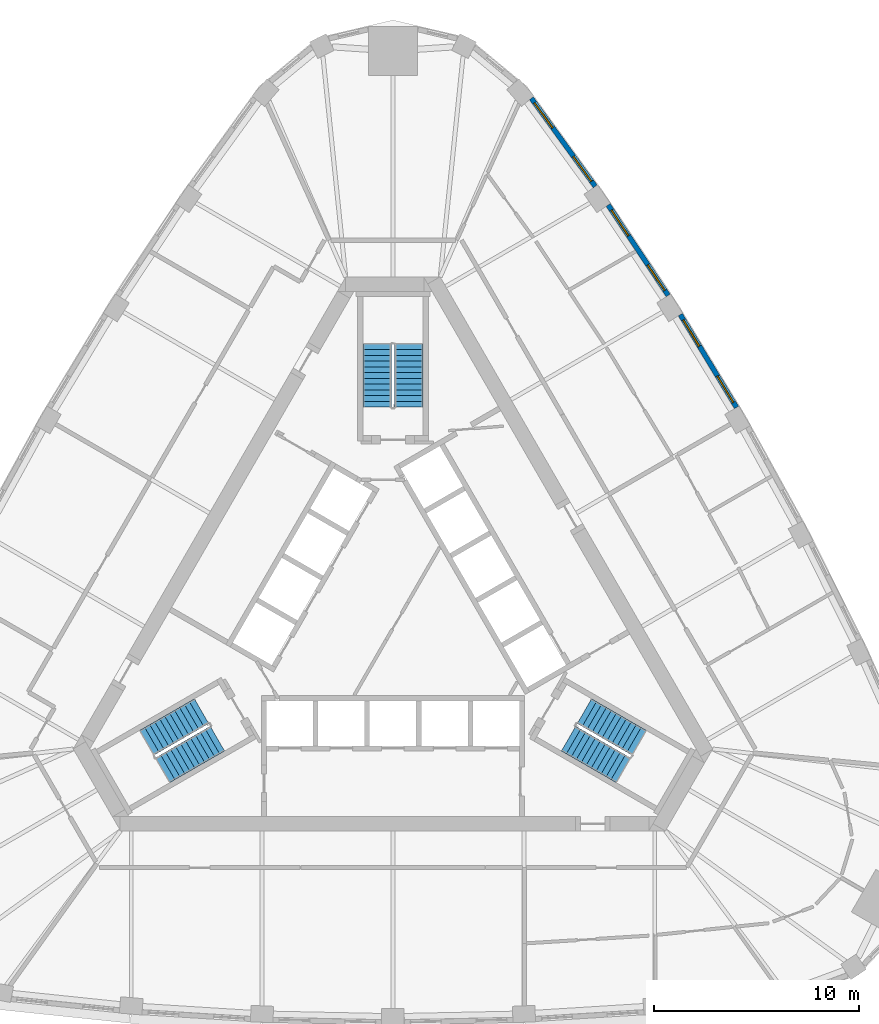
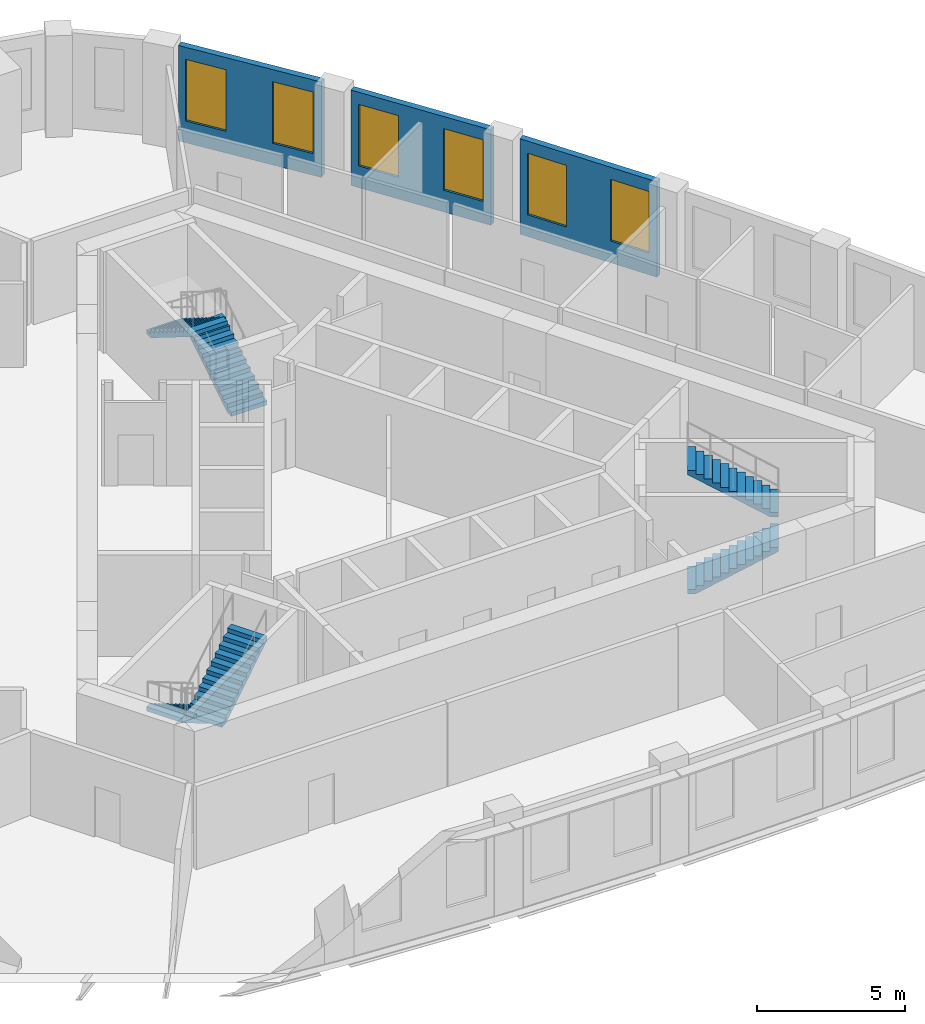
# One storey, part 9 of 10: 6 stair flights, 6 windows, 3 walls, 6 openings, 3 elements without a shape of their own.
"""IFC4 building model written with IfcOpenShell, lengths in metres."""

from ifc_helpers import new_model, si_unit, direction, frame, frame_2d, origin, place, context, subcontext, project, spatial, polyline, rectangle, outline, extrude, material, layer, layer_set, type_object, element, fill, aggregate, save


model = new_model("IFC4")

# Units and contexts
model_context = context("Model", 3, precision=1e-05, world=origin(), true_north=direction((0.0, 1.0)))
body_context = subcontext(model_context, "Body", "Model", "MODEL_VIEW")
ifc_project = project(units=[si_unit("LENGTHUNIT", "METRE"), si_unit("AREAUNIT", "SQUARE_METRE"), si_unit("VOLUMEUNIT", "CUBIC_METRE"), si_unit("PLANEANGLEUNIT", "RADIAN"), si_unit("MASSUNIT", "GRAM", prefix="KILO")], contexts=[model_context])

# Site, building, storey
site_placement = place(None, origin())
site = spatial("IfcSite", under=ifc_project, at=site_placement, CompositionType="ELEMENT")
building_placement = place(site_placement, origin())
building = spatial("IfcBuilding", under=site, at=building_placement, Name="Mestral Congress Tower", CompositionType="ELEMENT")
storey_placement = place(building_placement, frame((0.0, 0.0, 235.199951171875)))
storey = spatial("IfcBuildingStorey", under=building, at=storey_placement, Name="L55", CompositionType="ELEMENT", Elevation=235.199951171875)

# Wall, openings, windows
ifc_material_1 = material(Name="Precast concrete C40/50 with limestone facing", Category="masonry")
ifc_layer = layer(ifc_material_1, 0.239990234375)
ifc_layer_set = layer_set([ifc_layer], Name="Precast concrete C40/50 with limestone facing")
wall_type = type_object("IfcWallType", Name="Facade stone wall 240", PredefinedType="SOLIDWALL", material=ifc_layer_set)
wall_1_placement = place(storey_placement, frame((16.78173828125, 10.331298828125, 0.0), z_axis=(0.0, 0.0, 1.0), x_axis=(-0.517846166225, 0.855473756538, 0.0)))
wall_1 = element("IfcWall", 1, at=wall_1_placement, inside=storey, type_object=wall_type, Name="Facade wall F1-03", PredefinedType="SOLIDWALL", context=body_context, shape_type="SweptSolid", body=[
    extrude(rectangle(XDim=5.298095703125, YDim=0.239990234375, at=frame_2d((2.64892578125, 0.0))), origin(), (0.0, 0.0, 1.0), 3.949951171875),
])
opening_1_placement = place(wall_1_placement, frame((0.29443359375, 0.0, 0.89990234375)))
opening_1 = element("IfcOpeningElement", 2, at=opening_1_placement, cuts=wall_1, Name="Opening W4", PredefinedType="OPENING", context=body_context, shape_type="SweptSolid", body=[
    extrude(rectangle(XDim=1.5, YDim=2.550048828125, at=frame_2d((0.75, 1.27490234375))), frame((0.0, 0.1298828125, 0.0), z_axis=(0.0, -1.0, 0.0), x_axis=(1.0, 0.0, 0.0)), (0.0, 0.0, 1.0), 0.260009765625),
])
opening_2_placement = place(wall_1_placement, frame((3.503662109375, 0.0, 0.89990234375)))
opening_2 = element("IfcOpeningElement", 3, at=opening_2_placement, cuts=wall_1, Name="Opening W4", PredefinedType="OPENING", context=body_context, shape_type="SweptSolid", body=[
    extrude(rectangle(XDim=1.5, YDim=2.550048828125, at=frame_2d((0.75, 1.27490234375))), frame((0.0, 0.1298828125, 0.0), z_axis=(0.0, -1.0, 0.0), x_axis=(1.0, 0.0, 0.0)), (0.0, 0.0, 1.0), 0.260009765625),
])
ifc_material_2 = material(Name="Clear low-emissivity double glazing", Category="glass")
window_type = type_object("IfcWindowType", Name="Facade punched window 1500 x 2550 sill 900", PartitioningType="SINGLE_PANEL", PredefinedType="WINDOW", material=ifc_material_2)
window_1_placement = place(opening_1_placement, origin())
window_1 = element("IfcWindow", 4, at=window_1_placement, inside=storey, type_object=window_type, Name="Window F1-03a", OverallHeight=2.550048828125, OverallWidth=1.5, PartitioningType="SINGLE_PANEL", PredefinedType="WINDOW", context=body_context, shape_type="SweptSolid", body=[
    extrude(rectangle(XDim=1.5, YDim=2.550048828125, at=frame_2d((0.75, 1.27490234375))), frame((0.0, 0.0400390625, 0.0), z_axis=(0.0, -1.0, 0.0), x_axis=(1.0, 0.0, 0.0)), (0.0, 0.0, 1.0), 0.06005859375),
])
fill(opening_1, window_1)
window_2_placement = place(opening_2_placement, origin())
window_2 = element("IfcWindow", 5, at=window_2_placement, inside=storey, type_object=window_type, Name="Window F1-03b", OverallHeight=2.550048828125, OverallWidth=1.5, PartitioningType="SINGLE_PANEL", PredefinedType="WINDOW", context=body_context, shape_type="SweptSolid", body=[
    extrude(rectangle(XDim=1.5, YDim=2.550048828125, at=frame_2d((0.75, 1.27490234375))), frame((0.0, 0.0400390625, 0.0), z_axis=(0.0, -1.0, 0.0), x_axis=(1.0, 0.0, 0.0)), (0.0, 0.0, 1.0), 0.06005859375),
])
fill(opening_2, window_2)

wall_2_placement = place(storey_placement, frame((13.442138671875, 15.803466796875, 0.0), z_axis=(0.0, 0.0, 1.0), x_axis=(-0.552901821755, 0.833246407433, 0.0)))
wall_2 = element("IfcWall", 6, at=wall_2_placement, inside=storey, type_object=wall_type, Name="Facade wall F1-04", PredefinedType="SOLIDWALL", context=body_context, shape_type="SweptSolid", body=[
    extrude(rectangle(XDim=5.29833984375, YDim=0.239990234375, at=frame_2d((2.649169921875, 0.0))), origin(), (0.0, 0.0, 1.0), 3.949951171875),
])
opening_3_placement = place(wall_2_placement, frame((0.294677734375, 0.0, 0.89990234375)))
opening_3 = element("IfcOpeningElement", 7, at=opening_3_placement, cuts=wall_2, Name="Opening W4", PredefinedType="OPENING", context=body_context, shape_type="SweptSolid", body=[
    extrude(rectangle(XDim=1.5, YDim=2.550048828125, at=frame_2d((0.75, 1.27490234375))), frame((0.0, 0.1298828125, 0.0), z_axis=(0.0, -1.0, 0.0), x_axis=(1.0, 0.0, 0.0)), (0.0, 0.0, 1.0), 0.260009765625),
])
opening_4_placement = place(wall_2_placement, frame((3.50390625, 0.0, 0.89990234375)))
opening_4 = element("IfcOpeningElement", 8, at=opening_4_placement, cuts=wall_2, Name="Opening W4", PredefinedType="OPENING", context=body_context, shape_type="SweptSolid", body=[
    extrude(rectangle(XDim=1.5, YDim=2.550048828125, at=frame_2d((0.75, 1.27490234375))), frame((0.0, 0.1298828125, 0.0), z_axis=(0.0, -1.0, 0.0), x_axis=(1.0, 0.0, 0.0)), (0.0, 0.0, 1.0), 0.260009765625),
])
window_3_placement = place(opening_3_placement, origin())
window_3 = element("IfcWindow", 9, at=window_3_placement, inside=storey, type_object=window_type, Name="Window F1-04a", OverallHeight=2.550048828125, OverallWidth=1.5, PartitioningType="SINGLE_PANEL", PredefinedType="WINDOW", context=body_context, shape_type="SweptSolid", body=[
    extrude(rectangle(XDim=1.5, YDim=2.550048828125, at=frame_2d((0.75, 1.27490234375))), frame((0.0, 0.0400390625, 0.0), z_axis=(0.0, -1.0, 0.0), x_axis=(1.0, 0.0, 0.0)), (0.0, 0.0, 1.0), 0.06005859375),
])
fill(opening_3, window_3)
window_4_placement = place(opening_4_placement, origin())
window_4 = element("IfcWindow", 10, at=window_4_placement, inside=storey, type_object=window_type, Name="Window F1-04b", OverallHeight=2.550048828125, OverallWidth=1.5, PartitioningType="SINGLE_PANEL", PredefinedType="WINDOW", context=body_context, shape_type="SweptSolid", body=[
    extrude(rectangle(XDim=1.5, YDim=2.550048828125, at=frame_2d((0.75, 1.27490234375))), frame((0.0, 0.0400390625, 0.0), z_axis=(0.0, -1.0, 0.0), x_axis=(1.0, 0.0, 0.0)), (0.0, 0.0, 1.0), 0.06005859375),
])
fill(opening_4, window_4)

wall_3_placement = place(storey_placement, frame((9.87841796875, 21.13232421875, 0.0), z_axis=(0.0, 0.0, 1.0), x_axis=(-0.586998456641, 0.80958805074, 0.0)))
wall_3 = element("IfcWall", 11, at=wall_3_placement, inside=storey, type_object=wall_type, Name="Facade wall F1-05", PredefinedType="SOLIDWALL", context=body_context, shape_type="SweptSolid", body=[
    extrude(rectangle(XDim=5.310791015625, YDim=0.239990234375, at=frame_2d((2.6552734375, 0.0))), origin(), (0.0, 0.0, 1.0), 3.949951171875),
])
opening_5_placement = place(wall_3_placement, frame((0.306396484375, 0.0, 0.89990234375)))
opening_5 = element("IfcOpeningElement", 12, at=opening_5_placement, cuts=wall_3, Name="Opening W4", PredefinedType="OPENING", context=body_context, shape_type="SweptSolid", body=[
    extrude(rectangle(XDim=1.5, YDim=2.550048828125, at=frame_2d((0.75, 1.27490234375))), frame((0.0, 0.1298828125, 0.0), z_axis=(0.0, -1.0, 0.0), x_axis=(1.0, 0.0, 0.0)), (0.0, 0.0, 1.0), 0.260009765625),
])
opening_6_placement = place(wall_3_placement, frame((3.539306640625, 0.0, 0.89990234375)))
opening_6 = element("IfcOpeningElement", 13, at=opening_6_placement, cuts=wall_3, Name="Opening W4", PredefinedType="OPENING", context=body_context, shape_type="SweptSolid", body=[
    extrude(rectangle(XDim=1.5, YDim=2.550048828125, at=frame_2d((0.75, 1.27490234375))), frame((0.0, 0.1298828125, 0.0), z_axis=(0.0, -1.0, 0.0), x_axis=(1.0, 0.0, 0.0)), (0.0, 0.0, 1.0), 0.260009765625),
])
window_5_placement = place(opening_5_placement, origin())
window_5 = element("IfcWindow", 14, at=window_5_placement, inside=storey, type_object=window_type, Name="Window F1-05a", OverallHeight=2.550048828125, OverallWidth=1.5, PartitioningType="SINGLE_PANEL", PredefinedType="WINDOW", context=body_context, shape_type="SweptSolid", body=[
    extrude(rectangle(XDim=1.5, YDim=2.550048828125, at=frame_2d((0.75, 1.27490234375))), frame((0.0, 0.0400390625, 0.0), z_axis=(0.0, -1.0, 0.0), x_axis=(1.0, 0.0, 0.0)), (0.0, 0.0, 1.0), 0.06005859375),
])
fill(opening_5, window_5)
window_6_placement = place(opening_6_placement, origin())
window_6 = element("IfcWindow", 15, at=window_6_placement, inside=storey, type_object=window_type, Name="Window F1-05b", OverallHeight=2.550048828125, OverallWidth=1.5, PartitioningType="SINGLE_PANEL", PredefinedType="WINDOW", context=body_context, shape_type="SweptSolid", body=[
    extrude(rectangle(XDim=1.5, YDim=2.550048828125, at=frame_2d((0.75, 1.27490234375))), frame((0.0, 0.0400390625, 0.0), z_axis=(0.0, -1.0, 0.0), x_axis=(1.0, 0.0, 0.0)), (0.0, 0.0, 1.0), 0.06005859375),
])
fill(opening_6, window_6)

# Stair, stair flights
ifc_material_3 = material(Name="Concrete C60/75", Category="concrete")
stair_type = type_object("IfcStairType", Name="Exit stair 1400", PredefinedType="HALF_TURN_STAIR", material=ifc_material_3)
placement = place(storey_placement, origin())
stair_1 = element("IfcStair", 16, at=placement, inside=storey, type_object=stair_type, Name="L55 ST1", PredefinedType="HALF_TURN_STAIR")
stair_flight_type = type_object("IfcStairFlightType", Name="Exit stair flight 1400", PredefinedType="STRAIGHT", material=ifc_material_3)
stair_flight_1_placement = place(storey_placement, frame((8.575927734375, -5.84619140625, 0.0), z_axis=(0.0, 0.0, 1.0), x_axis=(0.866025403784, -0.5, 0.0)))
stair_flight_1 = element("IfcStairFlight", 17, at=stair_flight_1_placement, type_object=stair_flight_type, Name="ST1 flight 1", NumberOfRisers=12, NumberOfTreads=11, PredefinedType="STRAIGHT", RiserHeight=0.175, TreadLength=0.28, context=body_context, shape_type="SweptSolid", body=[
    extrude(outline(polyline([(0.0, 0.0), (0.0, 0.175048828125), (0.280029296875, 0.175048828125), (0.280029296875, 0.35009765625), (0.56005859375, 0.35009765625), (0.56005859375, 0.52490234375), (0.840087890625, 0.52490234375), (0.840087890625, 0.699951171875), (1.1201171875, 0.699951171875), (1.1201171875, 0.875), (1.39990234375, 0.875), (1.39990234375, 1.050048828125), (1.679931640625, 1.050048828125), (1.679931640625, 1.22509765625), (1.9599609375, 1.22509765625), (1.9599609375, 1.39990234375), (2.239990234375, 1.39990234375), (2.239990234375, 1.574951171875), (2.52001953125, 1.574951171875), (2.52001953125, 1.75), (2.800048828125, 1.75), (2.800048828125, 1.925048828125), (3.080078125, 1.925048828125), (3.080078125, 2.10009765625), (3.080078125, 1.748291015625), (0.28271484375, 0.0), (0.0, 0.0)])), frame((0.0, 0.699951171875, 0.0), z_axis=(0.0, -1.0, 0.0), x_axis=(1.0, 0.0, 0.0)), (0.0, 0.0, 1.0), 1.39990234375),
])
stair_flight_2_placement = place(storey_placement, frame((12.018310546875, -6.0439453125, 2.10009765625), z_axis=(0.0, 0.0, 1.0), x_axis=(-0.866025403784, 0.5, 0.0)))
stair_flight_2 = element("IfcStairFlight", 18, at=stair_flight_2_placement, type_object=stair_flight_type, Name="ST1 flight 2", NumberOfRisers=12, NumberOfTreads=11, PredefinedType="STRAIGHT", RiserHeight=0.175, TreadLength=0.28, context=body_context, shape_type="SweptSolid", body=[
    extrude(outline(polyline([(0.0, 0.0), (0.0, 0.175048828125), (0.280029296875, 0.175048828125), (0.280029296875, 0.35009765625), (0.56005859375, 0.35009765625), (0.56005859375, 0.52490234375), (0.840087890625, 0.52490234375), (0.840087890625, 0.699951171875), (1.1201171875, 0.699951171875), (1.1201171875, 0.875), (1.39990234375, 0.875), (1.39990234375, 1.050048828125), (1.679931640625, 1.050048828125), (1.679931640625, 1.22509765625), (1.9599609375, 1.22509765625), (1.9599609375, 1.39990234375), (2.239990234375, 1.39990234375), (2.239990234375, 1.574951171875), (2.52001953125, 1.574951171875), (2.52001953125, 1.75), (2.800048828125, 1.75), (2.800048828125, 1.925048828125), (3.080078125, 1.925048828125), (3.080078125, 2.10009765625), (3.080078125, 1.748291015625), (0.28271484375, 0.0), (0.0, 0.0)])), frame((0.0, 0.699951171875, 0.0), z_axis=(0.0, -1.0, 0.0), x_axis=(1.0, 0.0, 0.0)), (0.0, 0.0, 1.0), 1.39990234375),
])
aggregate(stair_1, [stair_flight_1, stair_flight_2])

stair_2 = element("IfcStair", 19, at=placement, inside=storey, type_object=stair_type, Name="L55 ST2", PredefinedType="HALF_TURN_STAIR")
stair_flight_3_placement = place(storey_placement, frame((0.77490234375, 10.35009765625, 0.0), z_axis=(0.0, 0.0, 1.0), x_axis=(0.0, 1.0, 0.0)))
stair_flight_3 = element("IfcStairFlight", 20, at=stair_flight_3_placement, type_object=stair_flight_type, Name="ST2 flight 1", NumberOfRisers=12, NumberOfTreads=11, PredefinedType="STRAIGHT", RiserHeight=0.175, TreadLength=0.28, context=body_context, shape_type="SweptSolid", body=[
    extrude(outline(polyline([(0.0, 0.0), (0.0, 0.175048828125), (0.280029296875, 0.175048828125), (0.280029296875, 0.35009765625), (0.56005859375, 0.35009765625), (0.56005859375, 0.52490234375), (0.840087890625, 0.52490234375), (0.840087890625, 0.699951171875), (1.1201171875, 0.699951171875), (1.1201171875, 0.875), (1.39990234375, 0.875), (1.39990234375, 1.050048828125), (1.679931640625, 1.050048828125), (1.679931640625, 1.22509765625), (1.9599609375, 1.22509765625), (1.9599609375, 1.39990234375), (2.239990234375, 1.39990234375), (2.239990234375, 1.574951171875), (2.52001953125, 1.574951171875), (2.52001953125, 1.75), (2.800048828125, 1.75), (2.800048828125, 1.925048828125), (3.080078125, 1.925048828125), (3.080078125, 2.10009765625), (3.080078125, 1.748291015625), (0.28271484375, 0.0), (0.0, 0.0)])), frame((0.0, 0.699951171875, 0.0), z_axis=(0.0, -1.0, 0.0), x_axis=(1.0, 0.0, 0.0)), (0.0, 0.0, 1.0), 1.39990234375),
])
stair_flight_4_placement = place(storey_placement, frame((-0.77490234375, 13.429931640625, 2.10009765625), z_axis=(0.0, 0.0, 1.0), x_axis=(0.0, -1.0, 0.0)))
stair_flight_4 = element("IfcStairFlight", 21, at=stair_flight_4_placement, type_object=stair_flight_type, Name="ST2 flight 2", NumberOfRisers=12, NumberOfTreads=11, PredefinedType="STRAIGHT", RiserHeight=0.175, TreadLength=0.28, context=body_context, shape_type="SweptSolid", body=[
    extrude(outline(polyline([(0.0, 0.0), (0.0, 0.175048828125), (0.280029296875, 0.175048828125), (0.280029296875, 0.35009765625), (0.56005859375, 0.35009765625), (0.56005859375, 0.52490234375), (0.840087890625, 0.52490234375), (0.840087890625, 0.699951171875), (1.1201171875, 0.699951171875), (1.1201171875, 0.875), (1.39990234375, 0.875), (1.39990234375, 1.050048828125), (1.679931640625, 1.050048828125), (1.679931640625, 1.22509765625), (1.9599609375, 1.22509765625), (1.9599609375, 1.39990234375), (2.239990234375, 1.39990234375), (2.239990234375, 1.574951171875), (2.52001953125, 1.574951171875), (2.52001953125, 1.75), (2.800048828125, 1.75), (2.800048828125, 1.925048828125), (3.080078125, 1.925048828125), (3.080078125, 2.10009765625), (3.080078125, 1.748291015625), (0.28271484375, 0.0), (0.0, 0.0)])), frame((0.0, 0.699951171875, 0.0), z_axis=(0.0, -1.0, 0.0), x_axis=(1.0, 0.0, 0.0)), (0.0, 0.0, 1.0), 1.39990234375),
])
aggregate(stair_2, [stair_flight_3, stair_flight_4])

stair_3 = element("IfcStair", 22, at=placement, inside=storey, type_object=stair_type, Name="L55 ST3", PredefinedType="HALF_TURN_STAIR")
stair_flight_5_placement = place(storey_placement, frame((-9.350830078125, -4.50390625, 0.0), z_axis=(0.0, 0.0, 1.0), x_axis=(-0.866025403784, -0.5, 0.0)))
stair_flight_5 = element("IfcStairFlight", 23, at=stair_flight_5_placement, type_object=stair_flight_type, Name="ST3 flight 1", NumberOfRisers=12, NumberOfTreads=11, PredefinedType="STRAIGHT", RiserHeight=0.175, TreadLength=0.28, context=body_context, shape_type="SweptSolid", body=[
    extrude(outline(polyline([(0.0, 0.0), (0.0, 0.175048828125), (0.280029296875, 0.175048828125), (0.280029296875, 0.35009765625), (0.56005859375, 0.35009765625), (0.56005859375, 0.52490234375), (0.840087890625, 0.52490234375), (0.840087890625, 0.699951171875), (1.1201171875, 0.699951171875), (1.1201171875, 0.875), (1.39990234375, 0.875), (1.39990234375, 1.050048828125), (1.679931640625, 1.050048828125), (1.679931640625, 1.22509765625), (1.9599609375, 1.22509765625), (1.9599609375, 1.39990234375), (2.239990234375, 1.39990234375), (2.239990234375, 1.574951171875), (2.52001953125, 1.574951171875), (2.52001953125, 1.75), (2.800048828125, 1.75), (2.800048828125, 1.925048828125), (3.080078125, 1.925048828125), (3.080078125, 2.10009765625), (3.080078125, 1.748291015625), (0.28271484375, 0.0), (0.0, 0.0)])), frame((0.0, 0.699951171875, 0.0), z_axis=(0.0, -1.0, 0.0), x_axis=(1.0, 0.0, 0.0)), (0.0, 0.0, 1.0), 1.39990234375),
])
stair_flight_6_placement = place(storey_placement, frame((-11.2431640625, -7.38623046875, 2.10009765625), z_axis=(0.0, 0.0, 1.0), x_axis=(0.866025403784, 0.5, 0.0)))
stair_flight_6 = element("IfcStairFlight", 24, at=stair_flight_6_placement, type_object=stair_flight_type, Name="ST3 flight 2", NumberOfRisers=12, NumberOfTreads=11, PredefinedType="STRAIGHT", RiserHeight=0.175, TreadLength=0.28, context=body_context, shape_type="SweptSolid", body=[
    extrude(outline(polyline([(0.0, 0.0), (0.0, 0.175048828125), (0.280029296875, 0.175048828125), (0.280029296875, 0.35009765625), (0.56005859375, 0.35009765625), (0.56005859375, 0.52490234375), (0.840087890625, 0.52490234375), (0.840087890625, 0.699951171875), (1.1201171875, 0.699951171875), (1.1201171875, 0.875), (1.39990234375, 0.875), (1.39990234375, 1.050048828125), (1.679931640625, 1.050048828125), (1.679931640625, 1.22509765625), (1.9599609375, 1.22509765625), (1.9599609375, 1.39990234375), (2.239990234375, 1.39990234375), (2.239990234375, 1.574951171875), (2.52001953125, 1.574951171875), (2.52001953125, 1.75), (2.800048828125, 1.75), (2.800048828125, 1.925048828125), (3.080078125, 1.925048828125), (3.080078125, 2.10009765625), (3.080078125, 1.748291015625), (0.28271484375, 0.0), (0.0, 0.0)])), frame((0.0, 0.699951171875, 0.0), z_axis=(0.0, -1.0, 0.0), x_axis=(1.0, 0.0, 0.0)), (0.0, 0.0, 1.0), 1.39990234375),
])
aggregate(stair_3, [stair_flight_5, stair_flight_6])

save(model, "model.ifc")
